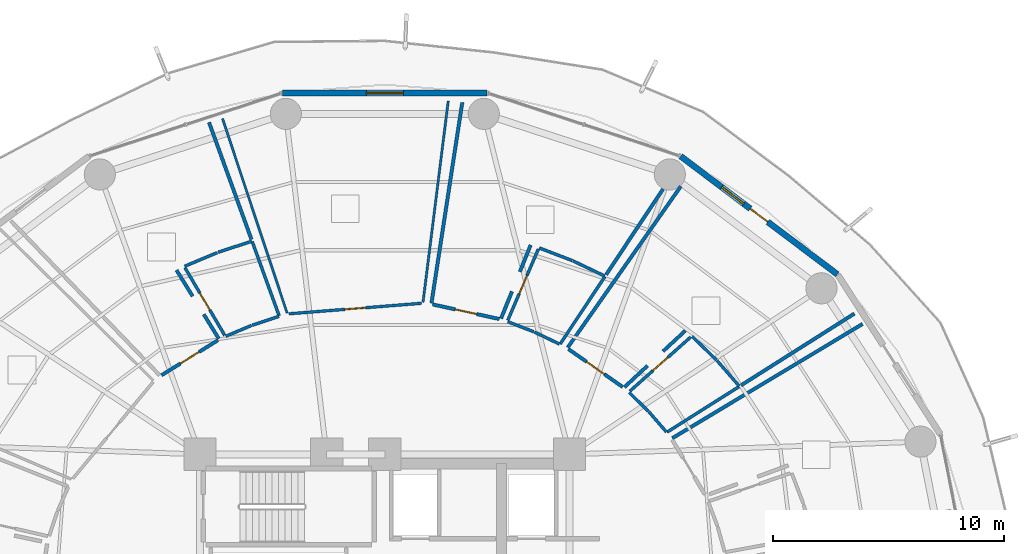
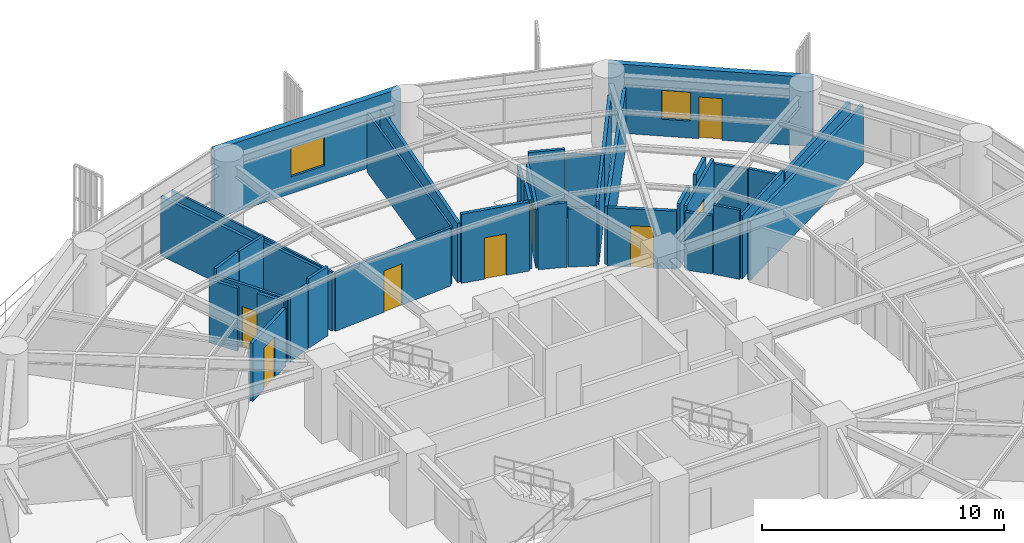
# One storey, part 29 of 34: 38 walls, 8 doors, 2 windows, 10 openings.
"""IFC4 building model written with IfcOpenShell, lengths in metres."""

from ifc_helpers import new_model, si_unit, direction, frame, frame_2d, origin, place, context, subcontext, project, spatial, rectangle, extrude, material, layer, layer_set, type_object, element, fill, save


model = new_model("IFC4")

# Units and contexts
model_context = context("Model", 3, precision=1e-05, world=origin(), true_north=direction((0.0, 1.0)))
body_context = subcontext(model_context, "Body", "Model", "MODEL_VIEW")
ifc_project = project(units=[si_unit("LENGTHUNIT", "METRE"), si_unit("AREAUNIT", "SQUARE_METRE"), si_unit("VOLUMEUNIT", "CUBIC_METRE"), si_unit("PLANEANGLEUNIT", "RADIAN"), si_unit("MASSUNIT", "GRAM", prefix="KILO")], contexts=[model_context])

# Site, building, storey
site_placement = place(None, origin())
site = spatial("IfcSite", under=ifc_project, at=site_placement, CompositionType="ELEMENT")
building_placement = place(site_placement, origin())
building = spatial("IfcBuilding", under=site, at=building_placement, Name="Kelanora Arch Commons", CompositionType="ELEMENT")
storey_placement = place(building_placement, frame((0.0, 0.0, 76.35009765625)))
storey = spatial("IfcBuildingStorey", under=building, at=storey_placement, Name="L19", CompositionType="ELEMENT", Elevation=76.35009765625)

# Wall, opening, door
ifc_material_1 = material(Name="Autoclaved aerated concrete blockwork with fire plaster", Category="masonry")
ifc_layer_1 = layer(ifc_material_1, 0.14990234375)
ifc_layer_set_1 = layer_set([ifc_layer_1], Name="Autoclaved aerated concrete blockwork with fire plaster")
wall_type_1 = type_object("IfcWallType", Name="W-COMP-150", PredefinedType="PARTITIONING", material=ifc_layer_set_1)
wall_1_placement = place(storey_placement, frame((84.2978515625, 67.92041015625, 0.0), z_axis=(0.0, 0.0, 1.0), x_axis=(-0.819775565256, 0.572684924378, 0.0)))
wall_1 = element("IfcWall", 1, at=wall_1_placement, inside=storey, type_object=wall_type_1, Name="Co-Living Studio L19-02 Entry Partition", PredefinedType="PARTITIONING", context=body_context, shape_type="SweptSolid", body=[
    extrude(rectangle(XDim=2.867431640625, YDim=0.14990234375, at=frame_2d((1.43359375, 0.0))), origin(), (0.0, 0.0, 1.0), 2.9248046875),
])
opening_1_placement = place(wall_1_placement, frame((0.958984375, 0.0, 0.0)))
opening_1 = element("IfcOpeningElement", 2, at=opening_1_placement, cuts=wall_1, Name="Opening D-CLU1", PredefinedType="OPENING", context=body_context, shape_type="SweptSolid", body=[
    extrude(rectangle(XDim=0.949951171875, YDim=2.080078125, at=frame_2d((0.47509765625, 1.0400390625))), frame((0.0, 0.0849609375, 0.0), z_axis=(0.0, -1.0, 0.0), x_axis=(1.0, 0.0, 0.0)), (0.0, 0.0, 1.0), 0.169921875),
])
ifc_material_2 = material(Name="Solid-core acoustic timber cluster entry fire door", Category="wood")
door_type_1 = type_object("IfcDoorType", Name="D-CLU-95", OperationType="NOTDEFINED", PredefinedType="DOOR", material=ifc_material_2)
door_1_placement = place(opening_1_placement, origin())
door_1 = element("IfcDoor", 3, at=door_1_placement, inside=storey, type_object=door_type_1, Name="Co-Living Studio L19-02 Door", OperationType="SINGLE_SWING_LEFT", OverallHeight=2.080078125, OverallWidth=0.949951171875, PredefinedType="DOOR", context=body_context, shape_type="SweptSolid", body=[
    extrude(rectangle(XDim=0.949951171875, YDim=2.080078125, at=frame_2d((0.47509765625, 1.0400390625))), frame((0.0, 0.02490234375, 0.0), z_axis=(0.0, -1.0, 0.0), x_axis=(1.0, 0.0, 0.0)), (0.0, 0.0, 1.0), 0.050048828125),
])
fill(opening_1, door_1)

wall_2_placement = place(storey_placement, frame((78.96044921875, 70.86083984375, 0.0), z_axis=(0.0, 0.0, 1.0), x_axis=(-0.976789452363, 0.214201694093, 0.0)))
wall_2 = element("IfcWall", 4, at=wall_2_placement, inside=storey, type_object=wall_type_1, Name="Co-Living Studio L19-03 Entry Partition", PredefinedType="PARTITIONING", context=body_context, shape_type="SweptSolid", body=[
    extrude(rectangle(XDim=2.95654296875, YDim=0.14990234375, at=frame_2d((1.478271484375, 0.0))), origin(), (0.0, 0.0, 1.0), 3.47998046875),
])
opening_2_placement = place(wall_2_placement, frame((1.0029296875, 0.0, 0.0)))
opening_2 = element("IfcOpeningElement", 5, at=opening_2_placement, cuts=wall_2, Name="Opening D-CLU1", PredefinedType="OPENING", context=body_context, shape_type="SweptSolid", body=[
    extrude(rectangle(XDim=0.949951171875, YDim=2.080078125, at=frame_2d((0.47509765625, 1.0400390625))), frame((0.0, 0.0849609375, 0.0), z_axis=(0.0, -1.0, 0.0), x_axis=(1.0, 0.0, 0.0)), (0.0, 0.0, 1.0), 0.169921875),
])
door_2_placement = place(opening_2_placement, origin())
door_2 = element("IfcDoor", 6, at=door_2_placement, inside=storey, type_object=door_type_1, Name="Co-Living Studio L19-03 Door", OperationType="SINGLE_SWING_LEFT", OverallHeight=2.080078125, OverallWidth=0.949951171875, PredefinedType="DOOR", context=body_context, shape_type="SweptSolid", body=[
    extrude(rectangle(XDim=0.949951171875, YDim=2.080078125, at=frame_2d((0.47509765625, 1.0400390625))), frame((0.0, 0.02490234375, 0.0), z_axis=(0.0, -1.0, 0.0), x_axis=(1.0, 0.0, 0.0)), (0.0, 0.0, 1.0), 0.050048828125),
])
fill(opening_2, door_2)

wall_3_placement = place(storey_placement, frame((66.779052734375, 69.947265625, 0.0), z_axis=(0.0, 0.0, 1.0), x_axis=(-0.849569495091, -0.527476703761, 0.0)))
wall_3 = element("IfcWall", 7, at=wall_3_placement, inside=storey, type_object=wall_type_1, Name="Co-Living Studio L19-05 Entry Partition", PredefinedType="PARTITIONING", context=body_context, shape_type="SweptSolid", body=[
    extrude(rectangle(XDim=2.882568359375, YDim=0.14990234375, at=frame_2d((1.44140625, 0.0))), origin(), (0.0, 0.0, 1.0), 2.9248046875),
])
opening_3_placement = place(wall_3_placement, frame((0.966064453125, 0.0, 0.0)))
opening_3 = element("IfcOpeningElement", 8, at=opening_3_placement, cuts=wall_3, Name="Opening D-CLU1", PredefinedType="OPENING", context=body_context, shape_type="SweptSolid", body=[
    extrude(rectangle(XDim=0.949951171875, YDim=2.080078125, at=frame_2d((0.47509765625, 1.0400390625))), frame((0.0, 0.0849609375, 0.0), z_axis=(0.0, -1.0, 0.0), x_axis=(1.0, 0.0, 0.0)), (0.0, 0.0, 1.0), 0.169921875),
])
door_3_placement = place(opening_3_placement, origin())
door_3 = element("IfcDoor", 9, at=door_3_placement, inside=storey, type_object=door_type_1, Name="Co-Living Studio L19-05 Door", OperationType="SINGLE_SWING_RIGHT", OverallHeight=2.080078125, OverallWidth=0.949951171875, PredefinedType="DOOR", context=body_context, shape_type="SweptSolid", body=[
    extrude(rectangle(XDim=0.949951171875, YDim=2.080078125, at=frame_2d((0.47509765625, 1.0400390625))), frame((0.0, 0.02490234375, 0.0), z_axis=(0.0, -1.0, 0.0), x_axis=(1.0, 0.0, 0.0)), (0.0, 0.0, 1.0), 0.050048828125),
])
fill(opening_3, door_3)

# Walls
wall_4_placement = place(storey_placement, frame((86.4501953125, 65.70166015625, 0.0), z_axis=(0.0, 0.0, 1.0), x_axis=(0.857261851198, 0.514880683731, 0.0)))
element("IfcWall", 10, at=wall_4_placement, inside=storey, type_object=wall_type_1, Name="Co-Living Studio L19-01 Enclosure Partition 2", PredefinedType="PARTITIONING", context=body_context, shape_type="SweptSolid", body=[
    extrude(rectangle(XDim=9.605712890625, YDim=0.14990234375, at=frame_2d((4.802734375, 0.0))), origin(), (0.0, 0.0, 1.0), 2.974853515625),
])
wall_5_placement = place(storey_placement, frame((81.9208984375, 69.629638671875, 0.0), z_axis=(0.0, 0.0, 1.0), x_axis=(0.574246298275, 0.818682593511, 0.0)))
element("IfcWall", 11, at=wall_5_placement, inside=storey, type_object=wall_type_1, Name="Co-Living Studio L19-02 Enclosure Partition 2", PredefinedType="PARTITIONING", context=body_context, shape_type="SweptSolid", body=[
    extrude(rectangle(XDim=8.524658203125, YDim=0.14990234375, at=frame_2d((4.26220703125, 0.0))), origin(), (0.0, 0.0, 1.0), 2.9248046875),
])
wall_6_placement = place(storey_placement, frame((94.333251953125, 71.0966796875, 0.0), z_axis=(0.0, 0.0, 1.0), x_axis=(-0.845032344767, -0.534715191759, 0.0)))
element("IfcWall", 12, at=wall_6_placement, inside=storey, type_object=wall_type_1, Name="Co-Living Studio L19-02 Enclosure Partition 5", PredefinedType="PARTITIONING", context=body_context, shape_type="SweptSolid", body=[
    extrude(rectangle(XDim=5.810791015625, YDim=0.14990234375, at=frame_2d((2.9052734375, 0.0))), origin(), (0.0, 0.0, 1.0), 2.974853515625),
])
wall_7_placement = place(storey_placement, frame((87.0166015625, 70.36279296875, 0.0), z_axis=(0.0, 0.0, 1.0), x_axis=(-0.733142432265, -0.680075123801, 0.0)))
element("IfcWall", 13, at=wall_7_placement, inside=storey, type_object=wall_type_1, Name="Co-Living Studio L19-02 Enclosure Partition 7", PredefinedType="PARTITIONING", context=body_context, shape_type="SweptSolid", body=[
    extrude(rectangle(XDim=1.3203125, YDim=0.14990234375, at=frame_2d((0.66015625, 0.0))), origin(), (0.0, 0.0, 1.0), 3.1748046875),
])
wall_8_placement = place(storey_placement, frame((85.3740234375, 68.8388671875, 0.0), z_axis=(0.0, 0.0, 1.0), x_axis=(-0.733068131904, -0.680155213159, 0.0)))
element("IfcWall", 14, at=wall_8_placement, inside=storey, type_object=wall_type_1, Name="Co-Living Studio L19-02 Enclosure Partition 7", PredefinedType="PARTITIONING", context=body_context, shape_type="SweptSolid", body=[
    extrude(rectangle(XDim=1.361083984375, YDim=0.14990234375, at=frame_2d((0.6806640625, 0.0))), origin(), (0.0, 0.0, 1.0), 3.23486328125),
])
wall_9_placement = place(storey_placement, frame((76.02001953125, 71.54638671875, 0.0), z_axis=(0.0, 0.0, 1.0), x_axis=(0.151710828081, 0.988424921096, 0.0)))
element("IfcWall", 15, at=wall_9_placement, inside=storey, type_object=wall_type_1, Name="Co-Living Studio L19-03 Enclosure Partition 2", PredefinedType="PARTITIONING", context=body_context, shape_type="SweptSolid", body=[
    extrude(rectangle(XDim=8.79296875, YDim=0.14990234375, at=frame_2d((4.396484375, 0.0))), origin(), (0.0, 0.0, 1.0), 2.974853515625),
])
wall_10_placement = place(storey_placement, frame((86.042724609375, 76.488037109375, 0.0), z_axis=(0.0, 0.0, 1.0), x_axis=(-0.553014365691, -0.833171717799, 0.0)))
element("IfcWall", 16, at=wall_10_placement, inside=storey, type_object=wall_type_1, Name="Co-Living Studio L19-03 Enclosure Partition 5", PredefinedType="PARTITIONING", context=body_context, shape_type="SweptSolid", body=[
    extrude(rectangle(XDim=4.44775390625, YDim=0.14990234375, at=frame_2d((2.223876953125, 0.0))), origin(), (0.0, 0.0, 1.0), 2.9248046875),
])
wall_11_placement = place(storey_placement, frame((80.31298828125, 74.06494140625, 0.0), z_axis=(0.0, 0.0, 1.0), x_axis=(-0.373249856729, -0.927730857766, 0.0)))
element("IfcWall", 17, at=wall_11_placement, inside=storey, type_object=wall_type_1, Name="Co-Living Studio L19-03 Enclosure Partition 7", PredefinedType="PARTITIONING", context=body_context, shape_type="SweptSolid", body=[
    extrude(rectangle(XDim=1.24462890625, YDim=0.14990234375, at=frame_2d((0.622314453125, 0.0))), origin(), (0.0, 0.0, 1.0), 2.9248046875),
])
wall_12_placement = place(storey_placement, frame((79.505126953125, 72.056396484375, 0.0), z_axis=(0.0, 0.0, 1.0), x_axis=(-0.373190252803, -0.927754835726, 0.0)))
element("IfcWall", 18, at=wall_12_placement, inside=storey, type_object=wall_type_1, Name="Co-Living Studio L19-03 Enclosure Partition 7", PredefinedType="PARTITIONING", context=body_context, shape_type="SweptSolid", body=[
    extrude(rectangle(XDim=1.2626953125, YDim=0.14990234375, at=frame_2d((0.63134765625, 0.0))), origin(), (0.0, 0.0, 1.0), 3.47998046875),
])
wall_13_placement = place(storey_placement, frame((66.388671875, 79.37841796875, 0.0), z_axis=(0.0, 0.0, 1.0), x_axis=(0.340728267281, -0.940161820048, 0.0)))
element("IfcWall", 19, at=wall_13_placement, inside=storey, type_object=wall_type_1, Name="Co-Living Studio L19-05 Enclosure Partition 5", PredefinedType="PARTITIONING", context=body_context, shape_type="SweptSolid", body=[
    extrude(rectangle(XDim=5.390380859375, YDim=0.14990234375, at=frame_2d((2.6953125, 0.0))), origin(), (0.0, 0.0, 1.0), 2.974853515625),
])
wall_14_placement = place(storey_placement, frame((64.98095703125, 72.97900390625, 0.0), z_axis=(0.0, 0.0, 1.0), x_axis=(0.524609403226, -0.851343041345, 0.0)))
element("IfcWall", 20, at=wall_14_placement, inside=storey, type_object=wall_type_1, Name="Co-Living Studio L19-05 Enclosure Partition 7", PredefinedType="PARTITIONING", context=body_context, shape_type="SweptSolid", body=[
    extrude(rectangle(XDim=1.330078125, YDim=0.14990234375, at=frame_2d((0.6650390625, 0.0))), origin(), (0.0, 0.0, 1.0), 3.1748046875),
])
wall_15_placement = place(storey_placement, frame((66.16162109375, 71.0634765625, 0.0), z_axis=(0.0, 0.0, 1.0), x_axis=(0.52475967521, -0.851250423362, 0.0)))
element("IfcWall", 21, at=wall_15_placement, inside=storey, type_object=wall_type_1, Name="Co-Living Studio L19-05 Enclosure Partition 7", PredefinedType="PARTITIONING", context=body_context, shape_type="SweptSolid", body=[
    extrude(rectangle(XDim=1.23388671875, YDim=0.14990234375, at=frame_2d((0.616943359375, 0.0))), origin(), (0.0, 0.0, 1.0), 3.23486328125),
])

# Wall, openings, door, window
ifc_material_3 = material(Name="Precast concrete C40/50 with terracotta rainscreen", Category="masonry")
ifc_layer_2 = layer(ifc_material_3, 0.260009765625)
ifc_layer_set_2 = layer_set([ifc_layer_2], Name="Precast concrete C40/50 with terracotta rainscreen")
wall_type_2 = type_object("IfcWallType", Name="W-EXT-TC", PredefinedType="SOLIDWALL", material=ifc_layer_set_2)
wall_16_placement = place(storey_placement, frame((93.5986328125, 72.793212890625, 0.0), z_axis=(0.0, 0.0, 1.0), x_axis=(-0.798501507879, 0.601992808857, 0.0)))
wall_16 = element("IfcWall", 22, at=wall_16_placement, inside=storey, type_object=wall_type_2, Name="Terracotta Exterior Wall L19-B02", PredefinedType="SOLIDWALL", context=body_context, shape_type="SweptSolid", body=[
    extrude(rectangle(XDim=8.499267578125, YDim=0.260009765625, at=frame_2d((4.24951171875, 0.0))), origin(), (0.0, 0.0, 1.0), 3.474853515625),
])
opening_4_placement = place(wall_16_placement, frame((3.77490234375, 0.0, 0.0)))
opening_4 = element("IfcOpeningElement", 23, at=opening_4_placement, cuts=wall_16, Name="Opening DB-01", PredefinedType="OPENING", context=body_context, shape_type="SweptSolid", body=[
    extrude(rectangle(XDim=0.949951171875, YDim=2.10009765625, at=frame_2d((0.47509765625, 1.050048828125))), frame((0.0, 0.14013671875, 0.0), z_axis=(0.0, -1.0, 0.0), x_axis=(1.0, 0.0, 0.0)), (0.0, 0.0, 1.0), 0.280029296875),
])
opening_5_placement = place(wall_16_placement, frame((5.074951171875, 0.0, 0.85009765625)))
opening_5 = element("IfcOpeningElement", 24, at=opening_5_placement, cuts=wall_16, Name="Opening WN-02", PredefinedType="OPENING", context=body_context, shape_type="SweptSolid", body=[
    extrude(rectangle(XDim=1.199951171875, YDim=1.449951171875, at=frame_2d((0.60009765625, 0.72509765625))), frame((0.0, 0.14013671875, 0.0), z_axis=(0.0, -1.0, 0.0), x_axis=(1.0, 0.0, 0.0)), (0.0, 0.0, 1.0), 0.280029296875),
])
ifc_material_4 = material(Name="Terracotta-aluminium thermally broken glazed balcony door", Category="masonry")
door_type_2 = type_object("IfcDoorType", Name="D-BAL-10", OperationType="NOTDEFINED", PredefinedType="DOOR", material=ifc_material_4)
door_4_placement = place(opening_4_placement, frame((0.949951171875, 0.0, 0.0), z_axis=(0.0, 0.0, 1.0), x_axis=(-1.0, 0.0, 0.0)))
door_4 = element("IfcDoor", 25, at=door_4_placement, inside=storey, type_object=door_type_2, Name="Wave Balcony Door L19-B02", OperationType="SINGLE_SWING_RIGHT", OverallHeight=2.10009765625, OverallWidth=0.949951171875, PredefinedType="DOOR", context=body_context, shape_type="SweptSolid", body=[
    extrude(rectangle(XDim=0.949951171875, YDim=2.10009765625, at=frame_2d((0.47509765625, 1.050048828125))), frame((0.0, 0.02490234375, 0.0), z_axis=(0.0, -1.0, 0.0), x_axis=(1.0, 0.0, 0.0)), (0.0, 0.0, 1.0), 0.050048828125),
])
fill(opening_4, door_4)
ifc_material_5 = material(Name="Terracotta-anodised aluminium frame with operable awning sash", Category="masonry")
window_type_1 = type_object("IfcWindowType", Name="WIN-CL-12", PartitioningType="SINGLE_PANEL", PredefinedType="WINDOW", material=ifc_material_5)
window_1_placement = place(opening_5_placement, origin())
window_1 = element("IfcWindow", 26, at=window_1_placement, inside=storey, type_object=window_type_1, Name="Co-Living Operable Window L19-B02", OverallHeight=1.449951171875, OverallWidth=1.199951171875, PartitioningType="SINGLE_PANEL", PredefinedType="WINDOW", context=body_context, shape_type="SweptSolid", body=[
    extrude(rectangle(XDim=1.199951171875, YDim=1.449951171875, at=frame_2d((0.60009765625, 0.72509765625))), frame((0.0, 0.030029296875, 0.0), z_axis=(0.0, -1.0, 0.0), x_axis=(1.0, 0.0, 0.0)), (0.0, 0.0, 1.0), 0.06005859375),
])
fill(opening_5, window_1)

# Wall, opening, window
wall_17_placement = place(storey_placement, frame((78.430419921875, 80.650634765625, 0.0), z_axis=(0.0, 0.0, 1.0), x_axis=(-1.0, 0.0, 0.0)))
wall_17 = element("IfcWall", 27, at=wall_17_placement, inside=storey, type_object=wall_type_2, Name="Terracotta Exterior Wall L19-B04", PredefinedType="SOLIDWALL", context=body_context, shape_type="SweptSolid", body=[
    extrude(rectangle(XDim=8.86083984375, YDim=0.260009765625, at=frame_2d((4.430419921875, 0.0))), origin(), (0.0, 0.0, 1.0), 3.474853515625),
])
opening_6_placement = place(wall_17_placement, frame((3.6298828125, 0.0, 0.85009765625)))
opening_6 = element("IfcOpeningElement", 28, at=opening_6_placement, cuts=wall_17, Name="Opening WN-01", PredefinedType="OPENING", context=body_context, shape_type="SweptSolid", body=[
    extrude(rectangle(XDim=1.60009765625, YDim=1.449951171875, at=frame_2d((0.800048828125, 0.72509765625))), frame((0.0, 0.14013671875, 0.0), z_axis=(0.0, -1.0, 0.0), x_axis=(1.0, 0.0, 0.0)), (0.0, 0.0, 1.0), 0.280029296875),
])
ifc_material_6 = material(Name="Terracotta-anodised aluminium frame with operable low-E glazing", Category="masonry")
window_type_2 = type_object("IfcWindowType", Name="WIN-CL-18", PartitioningType="DOUBLE_PANEL_VERTICAL", PredefinedType="WINDOW", material=ifc_material_6)
window_2_placement = place(opening_6_placement, origin())
window_2 = element("IfcWindow", 29, at=window_2_placement, inside=storey, type_object=window_type_2, Name="Co-Living Operable Window L19-B04", OverallHeight=1.449951171875, OverallWidth=1.60009765625, PartitioningType="SINGLE_PANEL", PredefinedType="WINDOW", context=body_context, shape_type="SweptSolid", body=[
    extrude(rectangle(XDim=1.60009765625, YDim=1.449951171875, at=frame_2d((0.800048828125, 0.72509765625))), frame((0.0, 0.030029296875, 0.0), z_axis=(0.0, -1.0, 0.0), x_axis=(1.0, 0.0, 0.0)), (0.0, 0.0, 1.0), 0.06005859375),
])
fill(opening_6, window_2)

# Walls
ifc_material_7 = material(Name="Lightweight fire-rated acoustic stud partition")
ifc_layer_3 = layer(ifc_material_7, 0.10009765625)
ifc_layer_set_3 = layer_set([ifc_layer_3], Name="Lightweight fire-rated acoustic stud partition")
wall_type_3 = type_object("IfcWallType", Name="W-PART-100", PredefinedType="PARTITIONING", material=ifc_layer_set_3)
wall_18_placement = place(storey_placement, frame((69.769287109375, 71.1201171875, 0.0), z_axis=(0.0, 0.0, 1.0), x_axis=(-0.315178903164, 0.949032275005, 0.0)))
element("IfcWall", 30, at=wall_18_placement, inside=storey, type_object=wall_type_3, Name="Communal Dining and Social Hall L19-04 Enclosure Partition 2", PredefinedType="PARTITIONING", context=body_context, shape_type="SweptSolid", body=[
    extrude(rectangle(XDim=8.8701171875, YDim=0.10009765625, at=frame_2d((4.43505859375, 0.0))), origin(), (0.0, 0.0, 1.0), 2.974853515625),
])
wall_19_placement = place(storey_placement, frame((76.7470703125, 80.30419921875, 0.0), z_axis=(0.0, 0.0, 1.0), x_axis=(-0.124421236745, -0.992229487491, 0.0)))
element("IfcWall", 31, at=wall_19_placement, inside=storey, type_object=wall_type_3, Name="Communal Dining and Social Hall L19-04 Enclosure Partition 4", PredefinedType="PARTITIONING", context=body_context, shape_type="SweptSolid", body=[
    extrude(rectangle(XDim=8.784912109375, YDim=0.10009765625, at=frame_2d((4.392578125, 0.0))), origin(), (0.0, 0.0, 1.0), 2.974853515625),
])

# Wall, opening, door
ifc_material_8 = material(Name="Acoustic twin-stud fire-rated gypsum partition")
ifc_layer_4 = layer(ifc_material_8, 0.1201171875)
ifc_layer_set_4 = layer_set([ifc_layer_4], Name="Acoustic twin-stud fire-rated gypsum partition")
wall_type_4 = type_object("IfcWallType", Name="W-PART-120", PredefinedType="PARTITIONING", material=ifc_layer_set_4)
wall_20_placement = place(storey_placement, frame((75.589111328125, 71.543212890625, 0.0), z_axis=(0.0, 0.0, 1.0), x_axis=(-0.996863165686, -0.079144354814, 0.0)))
wall_20 = element("IfcWall", 32, at=wall_20_placement, inside=storey, type_object=wall_type_4, Name="Communal Dining and Social Hall L19-04 Entry Partition", PredefinedType="PARTITIONING", context=body_context, shape_type="SweptSolid", body=[
    extrude(rectangle(XDim=5.765380859375, YDim=0.1201171875, at=frame_2d((2.8828125, 0.0))), origin(), (0.0, 0.0, 1.0), 2.9248046875),
])
opening_7_placement = place(wall_20_placement, frame((2.43310546875, 0.0, 0.0)))
opening_7 = element("IfcOpeningElement", 33, at=opening_7_placement, cuts=wall_20, Name="Opening D-RM1", PredefinedType="OPENING", context=body_context, shape_type="SweptSolid", body=[
    extrude(rectangle(XDim=0.89990234375, YDim=2.080078125, at=frame_2d((0.449951171875, 1.0400390625))), frame((0.0, 0.070068359375, 0.0), z_axis=(0.0, -1.0, 0.0), x_axis=(1.0, 0.0, 0.0)), (0.0, 0.0, 1.0), 0.14013671875),
])
ifc_material_9 = material(Name="Acoustic fire-rated timber study and lounge door", Category="wood")
door_type_3 = type_object("IfcDoorType", Name="D-ROOM-90", OperationType="NOTDEFINED", PredefinedType="DOOR", material=ifc_material_9)
door_5_placement = place(opening_7_placement, origin())
door_5 = element("IfcDoor", 34, at=door_5_placement, inside=storey, type_object=door_type_3, Name="Communal Dining and Social Hall L19-04 Door", OperationType="SINGLE_SWING_RIGHT", OverallHeight=2.080078125, OverallWidth=0.89990234375, PredefinedType="DOOR", context=body_context, shape_type="SweptSolid", body=[
    extrude(rectangle(XDim=0.89990234375, YDim=2.080078125, at=frame_2d((0.449951171875, 1.0400390625))), frame((0.0, 0.02490234375, 0.0), z_axis=(0.0, -1.0, 0.0), x_axis=(1.0, 0.0, 0.0)), (0.0, 0.0, 1.0), 0.050048828125),
])
fill(opening_7, door_5)

ifc_material_10 = material(Name="Moisture-resistant fire-rated cement-board plumbing wall")
ifc_layer_5 = layer(ifc_material_10, 0.1298828125)
ifc_layer_set_5 = layer_set([ifc_layer_5], Name="Moisture-resistant fire-rated cement-board plumbing wall")
wall_type_5 = type_object("IfcWallType", Name="W-WET-120", PredefinedType="PLUMBINGWALL", material=ifc_layer_set_5)
wall_21_placement = place(storey_placement, frame((84.60888671875, 67.73583984375, 0.0), z_axis=(0.0, 0.0, 1.0), x_axis=(0.746989483068, 0.664835853565, 0.0)))
wall_21 = element("IfcWall", 35, at=wall_21_placement, inside=storey, type_object=wall_type_5, Name="En-Suite Shower WC L19-02 Entry Partition", PredefinedType="PLUMBINGWALL", context=body_context, shape_type="SweptSolid", body=[
    extrude(rectangle(XDim=3.530517578125, YDim=0.1298828125, at=frame_2d((1.76513671875, 0.0))), origin(), (0.0, 0.0, 1.0), 3.1748046875),
])
opening_8_placement = place(wall_21_placement, frame((1.3349609375, 0.0, 0.0)))
opening_8 = element("IfcOpeningElement", 36, at=opening_8_placement, cuts=wall_21, Name="Opening D-BT1", PredefinedType="OPENING", context=body_context, shape_type="SweptSolid", body=[
    extrude(rectangle(XDim=0.860107421875, YDim=2.050048828125, at=frame_2d((0.43017578125, 1.02490234375))), frame((0.0, 0.074951171875, 0.0), z_axis=(0.0, -1.0, 0.0), x_axis=(1.0, 0.0, 0.0)), (0.0, 0.0, 1.0), 0.14990234375),
])
ifc_material_11 = material(Name="Moisture-sealed fire-rated accessible bathroom door")
door_type_4 = type_object("IfcDoorType", Name="D-BATH-85", OperationType="NOTDEFINED", PredefinedType="DOOR", material=ifc_material_11)
door_6_placement = place(opening_8_placement, origin())
door_6 = element("IfcDoor", 37, at=door_6_placement, inside=storey, type_object=door_type_4, Name="En-Suite Shower WC L19-02 Door", OperationType="SINGLE_SWING_RIGHT", OverallHeight=2.050048828125, OverallWidth=0.860107421875, PredefinedType="DOOR", context=body_context, shape_type="SweptSolid", body=[
    extrude(rectangle(XDim=0.860107421875, YDim=2.050048828125, at=frame_2d((0.43017578125, 1.02490234375))), frame((0.0, 0.02490234375, 0.0), z_axis=(0.0, -1.0, 0.0), x_axis=(1.0, 0.0, 0.0)), (0.0, 0.0, 1.0), 0.050048828125),
])
fill(opening_8, door_6)

wall_22_placement = place(storey_placement, frame((79.32568359375, 70.80908203125, 0.0), z_axis=(0.0, 0.0, 1.0), x_axis=(0.394174106006, 0.919035785024, 0.0)))
wall_22 = element("IfcWall", 38, at=wall_22_placement, inside=storey, type_object=wall_type_5, Name="En-Suite Shower WC L19-03 Entry Partition", PredefinedType="PLUMBINGWALL", context=body_context, shape_type="SweptSolid", body=[
    extrude(rectangle(XDim=3.353271484375, YDim=0.1298828125, at=frame_2d((1.6767578125, 0.0))), origin(), (0.0, 0.0, 1.0), 2.9248046875),
])
opening_9_placement = place(wall_22_placement, frame((1.2470703125, 0.0, 0.0)))
opening_9 = element("IfcOpeningElement", 39, at=opening_9_placement, cuts=wall_22, Name="Opening D-BT1", PredefinedType="OPENING", context=body_context, shape_type="SweptSolid", body=[
    extrude(rectangle(XDim=0.860107421875, YDim=2.050048828125, at=frame_2d((0.43017578125, 1.02490234375))), frame((0.0, 0.074951171875, 0.0), z_axis=(0.0, -1.0, 0.0), x_axis=(1.0, 0.0, 0.0)), (0.0, 0.0, 1.0), 0.14990234375),
])
door_7_placement = place(opening_9_placement, origin())
door_7 = element("IfcDoor", 40, at=door_7_placement, inside=storey, type_object=door_type_4, Name="En-Suite Shower WC L19-03 Door", OperationType="SINGLE_SWING_RIGHT", OverallHeight=2.050048828125, OverallWidth=0.860107421875, PredefinedType="DOOR", context=body_context, shape_type="SweptSolid", body=[
    extrude(rectangle(XDim=0.860107421875, YDim=2.050048828125, at=frame_2d((0.43017578125, 1.02490234375))), frame((0.0, 0.02490234375, 0.0), z_axis=(0.0, -1.0, 0.0), x_axis=(1.0, 0.0, 0.0)), (0.0, 0.0, 1.0), 0.050048828125),
])
fill(opening_9, door_7)

wall_23_placement = place(storey_placement, frame((67.065673828125, 70.15869140625, 0.0), z_axis=(0.0, 0.0, 1.0), x_axis=(-0.506831608452, 0.862045080419, 0.0)))
wall_23 = element("IfcWall", 41, at=wall_23_placement, inside=storey, type_object=wall_type_5, Name="En-Suite Shower WC L19-05 Entry Partition", PredefinedType="PLUMBINGWALL", context=body_context, shape_type="SweptSolid", body=[
    extrude(rectangle(XDim=3.39599609375, YDim=0.1298828125, at=frame_2d((1.697998046875, 0.0))), origin(), (0.0, 0.0, 1.0), 3.1748046875),
])
opening_10_placement = place(wall_23_placement, frame((1.26806640625, 0.0, 0.0)))
opening_10 = element("IfcOpeningElement", 42, at=opening_10_placement, cuts=wall_23, Name="Opening D-BT1", PredefinedType="OPENING", context=body_context, shape_type="SweptSolid", body=[
    extrude(rectangle(XDim=0.860107421875, YDim=2.050048828125, at=frame_2d((0.43017578125, 1.02490234375))), frame((0.0, 0.074951171875, 0.0), z_axis=(0.0, -1.0, 0.0), x_axis=(1.0, 0.0, 0.0)), (0.0, 0.0, 1.0), 0.14990234375),
])
door_8_placement = place(opening_10_placement, origin())
door_8 = element("IfcDoor", 43, at=door_8_placement, inside=storey, type_object=door_type_4, Name="En-Suite Shower WC L19-05 Door", OperationType="SINGLE_SWING_LEFT", OverallHeight=2.050048828125, OverallWidth=0.860107421875, PredefinedType="DOOR", context=body_context, shape_type="SweptSolid", body=[
    extrude(rectangle(XDim=0.860107421875, YDim=2.050048828125, at=frame_2d((0.43017578125, 1.02490234375))), frame((0.0, 0.02490234375, 0.0), z_axis=(0.0, -1.0, 0.0), x_axis=(1.0, 0.0, 0.0)), (0.0, 0.0, 1.0), 0.050048828125),
])
fill(opening_10, door_8)

# Walls
wall_24_placement = place(storey_placement, frame((86.19287109375, 65.968994140625, 0.0), z_axis=(0.0, 0.0, 1.0), x_axis=(-0.654583900851, 0.755989362853, 0.0)))
element("IfcWall", 44, at=wall_24_placement, inside=storey, type_object=wall_type_5, Name="En-Suite Shower WC L19-02 Enclosure Partition 1", PredefinedType="PLUMBINGWALL", context=body_context, shape_type="SweptSolid", body=[
    extrude(rectangle(XDim=1.1533203125, YDim=0.1298828125, at=frame_2d((0.57666015625, 0.0))), origin(), (0.0, 0.0, 1.0), 3.47998046875),
])
wall_25_placement = place(storey_placement, frame((85.41064453125, 66.8701171875, 0.0), z_axis=(0.0, 0.0, 1.0), x_axis=(-0.715871547002, 0.698232001696, 0.0)))
element("IfcWall", 45, at=wall_25_placement, inside=storey, type_object=wall_type_5, Name="En-Suite Shower WC L19-02 Enclosure Partition 2", PredefinedType="PLUMBINGWALL", context=body_context, shape_type="SweptSolid", body=[
    extrude(rectangle(XDim=1.16259765625, YDim=0.1298828125, at=frame_2d((0.581298828125, 0.0))), origin(), (0.0, 0.0, 1.0), 2.9248046875),
])
wall_26_placement = place(storey_placement, frame((87.305419921875, 70.109130859375, 0.0), z_axis=(0.0, 0.0, 1.0), x_axis=(0.718235032224, -0.69580057379, 0.0)))
element("IfcWall", 46, at=wall_26_placement, inside=storey, type_object=wall_type_5, Name="En-Suite Shower WC L19-02 Enclosure Partition 4", PredefinedType="PLUMBINGWALL", context=body_context, shape_type="SweptSolid", body=[
    extrude(rectangle(XDim=1.46923828125, YDim=0.1298828125, at=frame_2d((0.734619140625, 0.0))), origin(), (0.0, 0.0, 1.0), 2.9248046875),
])
wall_27_placement = place(storey_placement, frame((88.38818359375, 69.057861328125, 0.0), z_axis=(0.0, 0.0, 1.0), x_axis=(0.656315808405, -0.754486288568, 0.0)))
element("IfcWall", 47, at=wall_27_placement, inside=storey, type_object=wall_type_5, Name="En-Suite Shower WC L19-02 Enclosure Partition 5", PredefinedType="PLUMBINGWALL", context=body_context, shape_type="SweptSolid", body=[
    extrude(rectangle(XDim=1.454833984375, YDim=0.1298828125, at=frame_2d((0.7275390625, 0.0))), origin(), (0.0, 0.0, 1.0), 2.9248046875),
])
wall_28_placement = place(storey_placement, frame((89.339111328125, 67.934326171875, 0.0), z_axis=(0.0, 0.0, 1.0), x_axis=(-0.845293712827, -0.53430191751, 0.0)))
element("IfcWall", 48, at=wall_28_placement, inside=storey, type_object=wall_type_5, Name="En-Suite Shower WC L19-02 Enclosure Partition 6", PredefinedType="PLUMBINGWALL", context=body_context, shape_type="SweptSolid", body=[
    extrude(rectangle(XDim=3.6865234375, YDim=0.1298828125, at=frame_2d((1.84326171875, 0.0))), origin(), (0.0, 0.0, 1.0), 3.1748046875),
])
wall_29_placement = place(storey_placement, frame((81.56494140625, 69.776611328125, 0.0), z_axis=(0.0, 0.0, 1.0), x_axis=(-0.901710288712, 0.432340785991, 0.0)))
element("IfcWall", 49, at=wall_29_placement, inside=storey, type_object=wall_type_5, Name="En-Suite Shower WC L19-03 Enclosure Partition 1", PredefinedType="PLUMBINGWALL", context=body_context, shape_type="SweptSolid", body=[
    extrude(rectangle(XDim=1.199951171875, YDim=0.1298828125, at=frame_2d((0.60009765625, 0.0))), origin(), (0.0, 0.0, 1.0), 2.9248046875),
])
wall_30_placement = place(storey_placement, frame((80.4462890625, 70.311279296875, 0.0), z_axis=(0.0, 0.0, 1.0), x_axis=(-0.932603244632, 0.360903294669, 0.0)))
element("IfcWall", 50, at=wall_30_placement, inside=storey, type_object=wall_type_5, Name="En-Suite Shower WC L19-03 Enclosure Partition 2", PredefinedType="PLUMBINGWALL", context=body_context, shape_type="SweptSolid", body=[
    extrude(rectangle(XDim=1.206787109375, YDim=0.1298828125, at=frame_2d((0.603515625, 0.0))), origin(), (0.0, 0.0, 1.0), 3.23486328125),
])
wall_31_placement = place(storey_placement, frame((80.689697265625, 73.938720703125, 0.0), z_axis=(0.0, 0.0, 1.0), x_axis=(0.933707809738, -0.358035928413, 0.0)))
element("IfcWall", 51, at=wall_31_placement, inside=storey, type_object=wall_type_5, Name="En-Suite Shower WC L19-03 Enclosure Partition 4", PredefinedType="PLUMBINGWALL", context=body_context, shape_type="SweptSolid", body=[
    extrude(rectangle(XDim=1.52685546875, YDim=0.1298828125, at=frame_2d((0.763427734375, 0.0))), origin(), (0.0, 0.0, 1.0), 3.47998046875),
])
wall_32_placement = place(storey_placement, frame((82.152099609375, 73.37646484375, 0.0), z_axis=(0.0, 0.0, 1.0), x_axis=(0.902598876691, -0.430482598714, 0.0)))
element("IfcWall", 52, at=wall_32_placement, inside=storey, type_object=wall_type_5, Name="En-Suite Shower WC L19-03 Enclosure Partition 5", PredefinedType="PLUMBINGWALL", context=body_context, shape_type="SweptSolid", body=[
    extrude(rectangle(XDim=1.518798828125, YDim=0.1298828125, at=frame_2d((0.75927734375, 0.0))), origin(), (0.0, 0.0, 1.0), 3.1748046875),
])
wall_33_placement = place(storey_placement, frame((83.52978515625, 72.697265625, 0.0), z_axis=(0.0, 0.0, 1.0), x_axis=(-0.553523611894, -0.832833483402, 0.0)))
element("IfcWall", 53, at=wall_33_placement, inside=storey, type_object=wall_type_5, Name="En-Suite Shower WC L19-03 Enclosure Partition 6", PredefinedType="PLUMBINGWALL", context=body_context, shape_type="SweptSolid", body=[
    extrude(rectangle(XDim=3.497314453125, YDim=0.1298828125, at=frame_2d((1.74853515625, 0.0))), origin(), (0.0, 0.0, 1.0), 3.1748046875),
])
wall_34_placement = place(storey_placement, frame((69.410888671875, 70.978759765625, 0.0), z_axis=(0.0, 0.0, 1.0), x_axis=(-0.948784055635, -0.315925332592, 0.0)))
element("IfcWall", 54, at=wall_34_placement, inside=storey, type_object=wall_type_5, Name="En-Suite Shower WC L19-05 Enclosure Partition 1", PredefinedType="PLUMBINGWALL", context=body_context, shape_type="SweptSolid", body=[
    extrude(rectangle(XDim=1.2109375, YDim=0.1298828125, at=frame_2d((0.60546875, 0.0))), origin(), (0.0, 0.0, 1.0), 3.47998046875),
])
wall_35_placement = place(storey_placement, frame((68.224609375, 70.582275390625, 0.0), z_axis=(0.0, 0.0, 1.0), x_axis=(-0.921601034592, -0.388138548767, 0.0)))
element("IfcWall", 55, at=wall_35_placement, inside=storey, type_object=wall_type_5, Name="En-Suite Shower WC L19-05 Enclosure Partition 2", PredefinedType="PLUMBINGWALL", context=body_context, shape_type="SweptSolid", body=[
    extrude(rectangle(XDim=1.20458984375, YDim=0.1298828125, at=frame_2d((0.602294921875, 0.0))), origin(), (0.0, 0.0, 1.0), 3.23486328125),
])
wall_36_placement = place(storey_placement, frame((65.33251953125, 73.145751953125, 0.0), z_axis=(0.0, 0.0, 1.0), x_axis=(0.922426393113, 0.38617295256, 0.0)))
element("IfcWall", 56, at=wall_36_placement, inside=storey, type_object=wall_type_5, Name="En-Suite Shower WC L19-05 Enclosure Partition 4", PredefinedType="PLUMBINGWALL", context=body_context, shape_type="SweptSolid", body=[
    extrude(rectangle(XDim=1.524169921875, YDim=0.1298828125, at=frame_2d((0.76220703125, 0.0))), origin(), (0.0, 0.0, 1.0), 3.47998046875),
])
wall_37_placement = place(storey_placement, frame((66.77587890625, 73.748291015625, 0.0), z_axis=(0.0, 0.0, 1.0), x_axis=(0.949634335139, 0.313360223265, 0.0)))
element("IfcWall", 57, at=wall_37_placement, inside=storey, type_object=wall_type_5, Name="En-Suite Shower WC L19-05 Enclosure Partition 5", PredefinedType="PLUMBINGWALL", context=body_context, shape_type="SweptSolid", body=[
    extrude(rectangle(XDim=1.533203125, YDim=0.1298828125, at=frame_2d((0.7666015625, 0.0))), origin(), (0.0, 0.0, 1.0), 3.47998046875),
])
wall_38_placement = place(storey_placement, frame((68.2578125, 74.21630859375, 0.0), z_axis=(0.0, 0.0, 1.0), x_axis=(0.341002962554, -0.940062221095, 0.0)))
element("IfcWall", 58, at=wall_38_placement, inside=storey, type_object=wall_type_5, Name="En-Suite Shower WC L19-05 Enclosure Partition 6", PredefinedType="PLUMBINGWALL", context=body_context, shape_type="SweptSolid", body=[
    extrude(rectangle(XDim=3.417236328125, YDim=0.1298828125, at=frame_2d((1.70849609375, 0.0))), origin(), (0.0, 0.0, 1.0), 3.1748046875),
])

save(model, "model.ifc")
